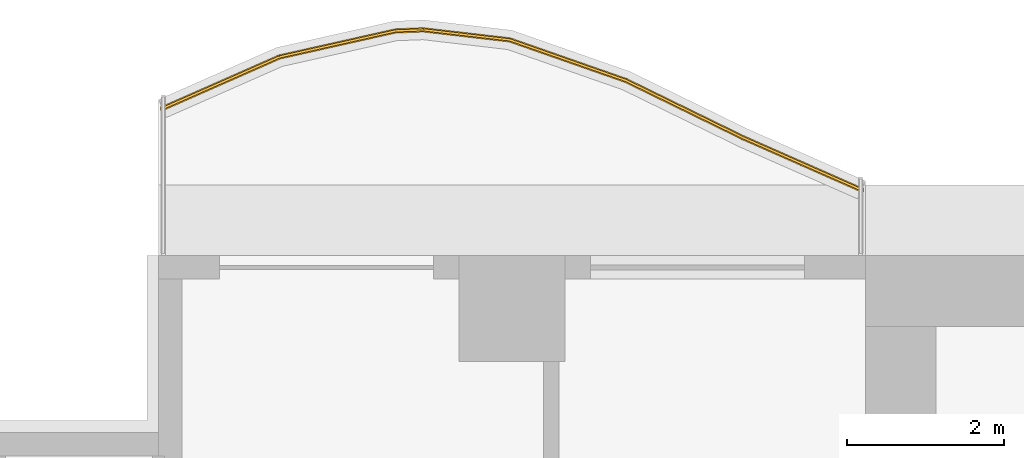
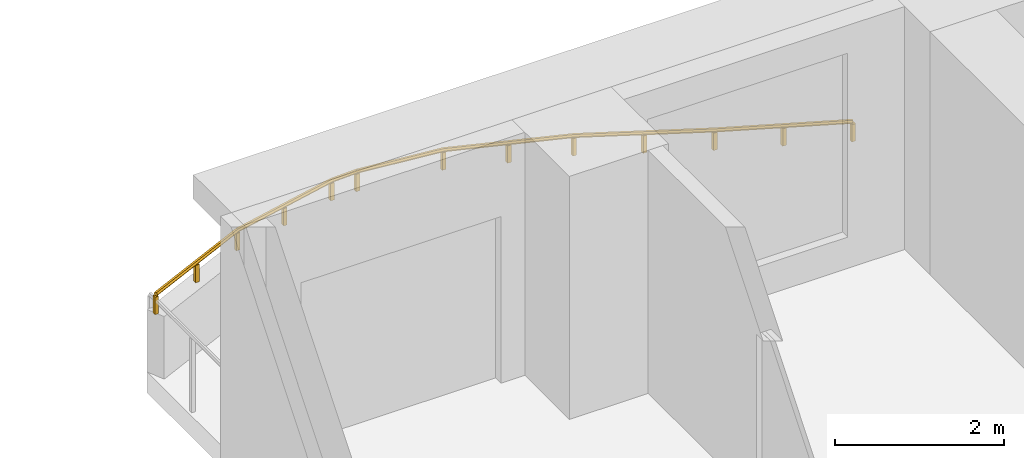
# One storey, part 13 of 14: 1 railing.
"""IFC4 building model written with IfcOpenShell, lengths in metres."""

from ifc_helpers import new_model, si_unit, direction, frame, origin, origin_2d, place, context, subcontext, project, spatial, polyline, rectangle, outline, extrude, material, type_object, element, save


model = new_model("IFC4")

# Units and contexts
model_context = context("Model", 3, precision=1e-05, world=origin(), true_north=direction((0.0, 1.0)))
body_context = subcontext(model_context, "Body", "Model", "MODEL_VIEW")
ifc_project = project(units=[si_unit("LENGTHUNIT", "METRE"), si_unit("AREAUNIT", "SQUARE_METRE"), si_unit("VOLUMEUNIT", "CUBIC_METRE"), si_unit("PLANEANGLEUNIT", "RADIAN"), si_unit("MASSUNIT", "GRAM", prefix="KILO")], contexts=[model_context])

# Site, building, storey
site_placement = place(None, origin())
site = spatial("IfcSite", under=ifc_project, at=site_placement, CompositionType="ELEMENT")
building_placement = place(site_placement, origin())
building = spatial("IfcBuilding", under=site, at=building_placement, Name="Orbiselva Terraces", CompositionType="ELEMENT")
storey_placement = place(building_placement, frame((0.0, 0.0, 73.2)))
storey = spatial("IfcBuildingStorey", under=building, at=storey_placement, Name="L18", CompositionType="ELEMENT", Elevation=73.2)

# Railing
ifc_material = material(Name="Bonded two-ply safety glass balustrade, stainless steel posts", Category="steel")
railing_type = type_object("IfcRailingType", Name="ENV-BALUSTRADE-1200", PredefinedType="BALUSTRADE", material=ifc_material)
railing_placement = place(storey_placement, frame((-13.550394, 23.33708, 0.9)))
element("IfcRailing", 1, at=railing_placement, inside=storey, type_object=railing_type, Name="Balcony balustrade L18 NW", PredefinedType="BALUSTRADE", context=body_context, shape_type="SweptSolid", body=[
    extrude(outline(polyline([(0.028868, 0.0), (0.014434, 0.025), (-0.014434, 0.025), (-0.028868, 0.0), (-0.014434, -0.025), (0.014434, -0.025), (0.028868, 0.0)])), frame((0.0, 0.0, 0.275), z_axis=(-0.915133394491, 0.403151175476, 0.0), x_axis=(-0.403151175476, -0.915133394491, 0.0)), (0.0, 0.0, 1.0), 1.641563),
    extrude(outline(polyline([(0.028868, 0.0), (0.014434, 0.025), (-0.014434, 0.025), (-0.028868, 0.0), (-0.014434, -0.025), (0.014434, -0.025), (0.028868, 0.0)])), frame((-1.502249, 0.661798, 0.275), z_axis=(-0.89857890432, 0.438811978768, 0.0), x_axis=(-0.438811978768, -0.89857890432, 0.0)), (0.0, 0.0, 1.0), 1.66438),
    extrude(outline(polyline([(0.028868, 0.0), (0.014434, 0.025), (-0.014434, 0.025), (-0.028868, 0.0), (-0.014434, -0.025), (0.014434, -0.025), (0.028868, 0.0)])), frame((-2.997826, 1.392148, 0.275), z_axis=(-0.943972277814, 0.330024754707, 0.0), x_axis=(-0.330024754707, -0.943972277814, 0.0)), (0.0, 0.0, 1.0), 1.567807),
    extrude(outline(polyline([(0.028868, 0.0), (0.014434, 0.025), (-0.014434, 0.025), (-0.028868, 0.0), (-0.014434, -0.025), (0.014434, -0.025), (0.028868, 0.0)])), frame((-4.477792, 1.909563, 0.275), z_axis=(-0.993309658409, 0.115481264762, 0.0), x_axis=(-0.115481264762, -0.993309658409, 0.0)), (0.0, 0.0, 1.0), 1.10902),
    extrude(outline(polyline([(0.028868, 0.0), (0.014434, 0.025), (-0.014434, 0.025), (-0.028868, 0.0), (-0.014434, -0.025), (0.014434, -0.025), (0.028868, 0.0)])), frame((-5.579392, 2.037634, 0.275), z_axis=(-0.999224931454, -0.039364150694, 0.0), x_axis=(0.039364150694, -0.999224931454, 0.0)), (0.0, 0.0, 1.0), 0.354206),
    extrude(outline(polyline([(0.028868, 0.0), (0.014434, 0.025), (-0.014434, 0.025), (-0.028868, 0.0), (-0.014434, -0.025), (0.014434, -0.025), (0.028868, 0.0)])), frame((-5.933323, 2.023691, 0.275), z_axis=(-0.975721325753, -0.219015740235, 0.0), x_axis=(0.219015740235, -0.975721325753, 0.0)), (0.0, 0.0, 1.0), 1.513782),
    extrude(outline(polyline([(0.028868, 0.0), (0.014434, 0.025), (-0.014434, 0.025), (-0.028868, 0.0), (-0.014434, -0.025), (0.014434, -0.025), (0.028868, 0.0)])), frame((-7.410352, 1.692149, 0.275), z_axis=(-0.915133311645, -0.403151363532, 0.0), x_axis=(0.403151363532, -0.915133311645, 0.0)), (0.0, 0.0, 1.0), 1.626932),
    extrude(rectangle(XDim=0.05, YDim=0.05, at=origin_2d()), origin(), (0.0, 0.0, 1.0), 0.25),
    extrude(rectangle(XDim=0.05, YDim=0.05, at=origin_2d()), frame((-0.751124, 0.330899, 0.0)), (0.0, 0.0, 1.0), 0.25),
    extrude(rectangle(XDim=0.05, YDim=0.05, at=origin_2d()), frame((-1.502249, 0.661798, 0.0)), (0.0, 0.0, 1.0), 0.25),
    extrude(rectangle(XDim=0.05, YDim=0.05, at=origin_2d()), frame((-2.250037, 1.026973, 0.0)), (0.0, 0.0, 1.0), 0.25),
    extrude(rectangle(XDim=0.05, YDim=0.05, at=origin_2d()), frame((-2.997826, 1.392148, 0.0)), (0.0, 0.0, 1.0), 0.25),
    extrude(rectangle(XDim=0.05, YDim=0.05, at=origin_2d()), frame((-3.737809, 1.650855, 0.0)), (0.0, 0.0, 1.0), 0.25),
    extrude(rectangle(XDim=0.05, YDim=0.05, at=origin_2d()), frame((-4.477792, 1.909563, 0.0)), (0.0, 0.0, 1.0), 0.25),
    extrude(rectangle(XDim=0.05, YDim=0.05, at=origin_2d()), frame((-5.579392, 2.037634, 0.0)), (0.0, 0.0, 1.0), 0.25),
    extrude(rectangle(XDim=0.05, YDim=0.05, at=origin_2d()), frame((-5.933323, 2.023691, 0.0)), (0.0, 0.0, 1.0), 0.25),
    extrude(rectangle(XDim=0.05, YDim=0.05, at=origin_2d()), frame((-6.671837, 1.85792, 0.0)), (0.0, 0.0, 1.0), 0.25),
    extrude(rectangle(XDim=0.05, YDim=0.05, at=origin_2d()), frame((-7.410352, 1.692149, 0.0)), (0.0, 0.0, 1.0), 0.25),
    extrude(rectangle(XDim=0.05, YDim=0.05, at=origin_2d()), frame((-8.154782, 1.364199, 0.0)), (0.0, 0.0, 1.0), 0.25),
    extrude(rectangle(XDim=0.05, YDim=0.05, at=origin_2d()), frame((-8.899212, 1.036249, 0.0)), (0.0, 0.0, 1.0), 0.25),
])

save(model, "model.ifc")
